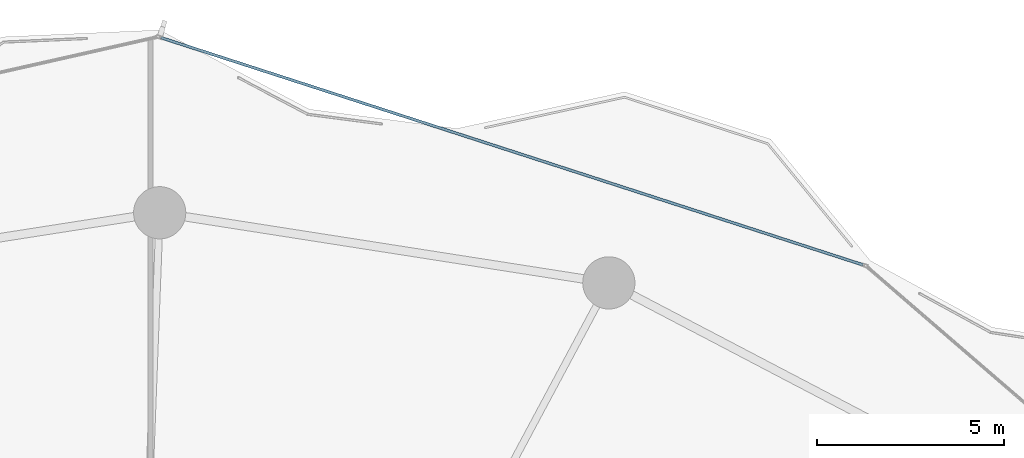
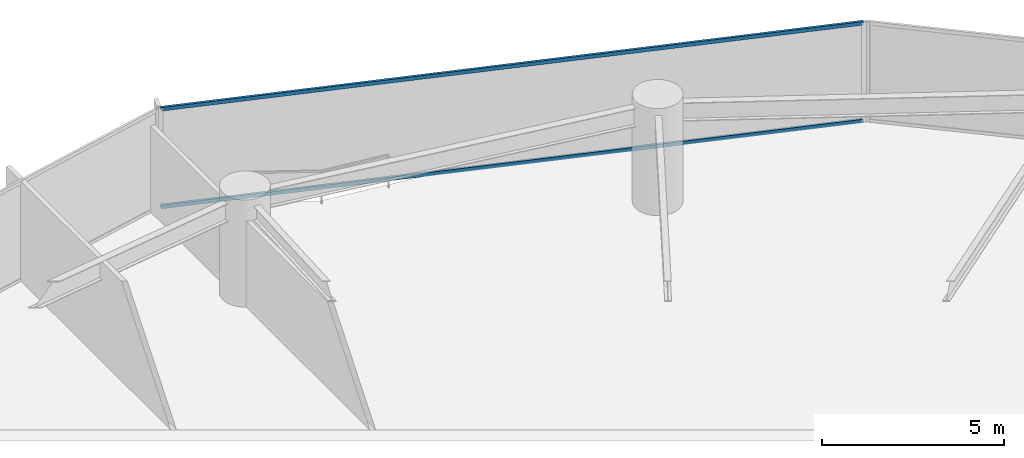
# One storey, part 22 of 33: 2 members, 1 element without a shape of its own.
"""IFC4 building model written with IfcOpenShell, lengths in metres."""

from ifc_helpers import new_model, si_unit, direction, frame, origin, origin_2d, place, context, subcontext, project, spatial, hollow_rectangle, extrude, material, layer, layer_set, material_profile, profile_set, type_object, element, aggregate, save


model = new_model("IFC4")

# Units and contexts
model_context = context("Model", 3, precision=1e-05, world=origin(), true_north=direction((0.0, 1.0)))
body_context = subcontext(model_context, "Body", "Model", "MODEL_VIEW")
ifc_project = project(units=[si_unit("LENGTHUNIT", "METRE"), si_unit("AREAUNIT", "SQUARE_METRE"), si_unit("VOLUMEUNIT", "CUBIC_METRE"), si_unit("PLANEANGLEUNIT", "RADIAN"), si_unit("MASSUNIT", "GRAM", prefix="KILO")], contexts=[model_context])

# Site, building, storey
site_placement = place(None, origin())
site = spatial("IfcSite", under=ifc_project, at=site_placement, CompositionType="ELEMENT")
building_placement = place(site_placement, origin())
building = spatial("IfcBuilding", under=site, at=building_placement, Name="Kazevale Care Tower and Concert Hall", CompositionType="ELEMENT")
storey_placement = place(building_placement, frame((0.0, 0.0, 45.60009765625)))
storey = spatial("IfcBuildingStorey", under=building, at=storey_placement, Name="L11", CompositionType="ELEMENT", Elevation=45.60009765625)

# Curtain wall, members
ifc_material_1 = material(Name="Aluminium 6063-T6 and Low-E Glass", Category="aluminium")
ifc_layer = layer(ifc_material_1, 0.179931640625)
ifc_layer_set = layer_set([ifc_layer], Name="Aluminium 6063-T6 and Low-E Glass")
curtain_wall_type = type_object("IfcCurtainWallType", Name="Convex Checkerboard Finned Curtain Wall CW-2", PredefinedType="NOTDEFINED", material=ifc_layer_set)
curtain_wall_placement = place(storey_placement, origin())
curtain_wall = element("IfcCurtainWall", 1, at=curtain_wall_placement, inside=storey, type_object=curtain_wall_type, Name="cw:L11:f16", PredefinedType="NOTDEFINED")
ifc_material_2 = material(Name="Aluminium 6063-T6", Category="aluminium")
ifc_material_profile = material_profile(ifc_material_2, hollow_rectangle(XDim=0.074951171875, YDim=0.1201171875, WallThickness=0.00390625, at=origin_2d()), Name="ALU75x120x4")
ifc_profile_set = profile_set([ifc_material_profile], Name="Aluminium 6063-T6")
member_type = type_object("IfcMemberType", Name="CW-2 Transom ALU75x120x4", PredefinedType="USERDEFINED", material=ifc_profile_set)
member_1_placement = place(storey_placement, frame((45.03515625, 67.34326171875, 0.037353515625), z_axis=(0.951413042648, -0.3079175576, 0.0), x_axis=(0.3079175576, 0.951413042648, 0.0)))
member_1 = element("IfcMember", 2, at=member_1_placement, type_object=member_type, Name="CW-2 transom 1.1", ObjectType="TRANSOM", PredefinedType="USERDEFINED", context=body_context, shape_type="SweptSolid", body=[
    extrude(hollow_rectangle(XDim=0.074951171875, YDim=0.1201171875, WallThickness=0.00390625, at=origin_2d()), origin(), (0.0, 0.0, 1.0), 19.77978515625),
])
member_2_placement = place(storey_placement, frame((45.03515625, 67.34326171875, 3.322509765625), z_axis=(0.951413042648, -0.3079175576, 0.0), x_axis=(0.3079175576, 0.951413042648, 0.0)))
member_2 = element("IfcMember", 3, at=member_2_placement, type_object=member_type, Name="CW-2 transom 1.2", ObjectType="TRANSOM", PredefinedType="USERDEFINED", context=body_context, shape_type="SweptSolid", body=[
    extrude(hollow_rectangle(XDim=0.074951171875, YDim=0.1201171875, WallThickness=0.00390625, at=origin_2d()), origin(), (0.0, 0.0, 1.0), 19.77978515625),
])
aggregate(curtain_wall, [member_1, member_2])

save(model, "model.ifc")
